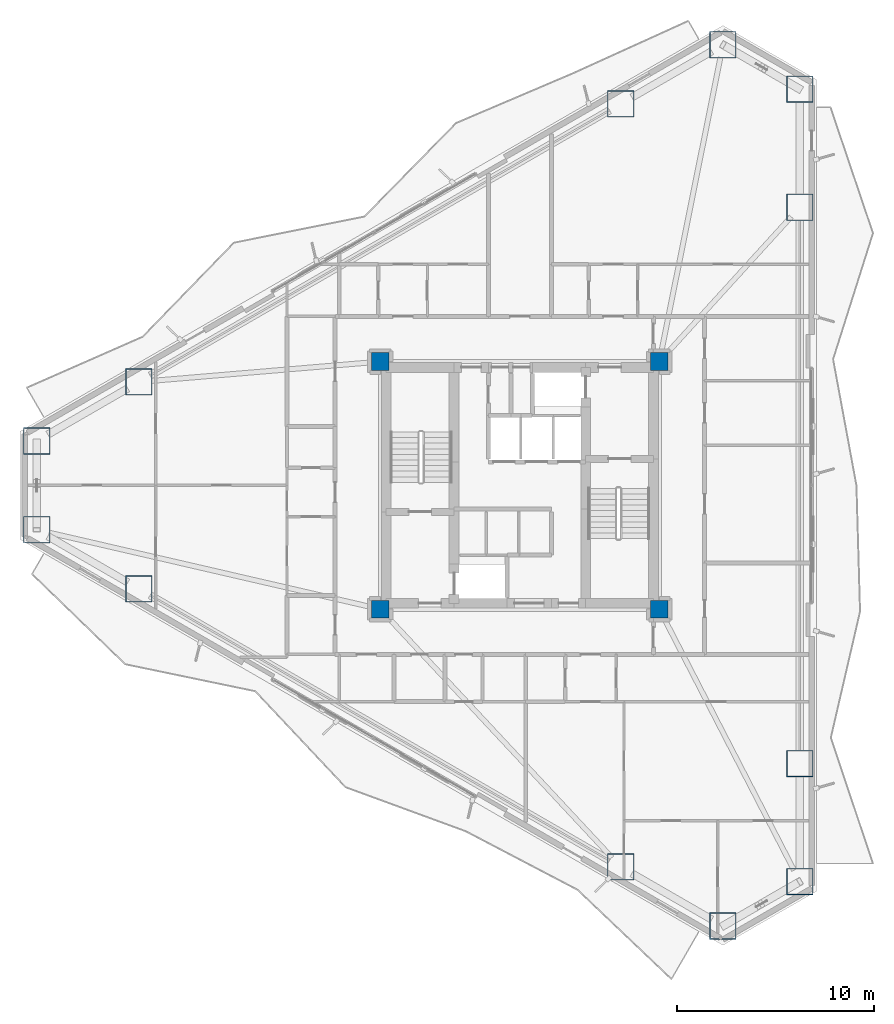
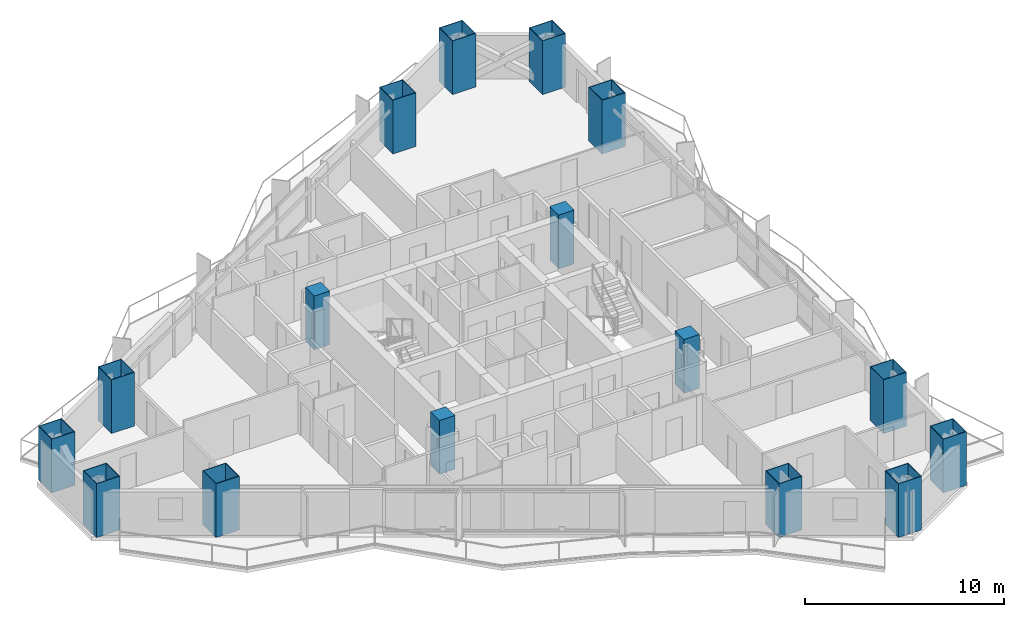
# One storey, part 1 of 19: 16 columns.
"""IFC4 building model written with IfcOpenShell, lengths in metres."""

from ifc_helpers import new_model, si_unit, direction, frame, origin, origin_2d, place, context, subcontext, project, spatial, rectangle, hollow_rectangle, extrude, material, material_profile, profile_set, type_object, element, save


model = new_model("IFC4")

# Units and contexts
model_context = context("Model", 3, precision=1e-05, world=origin(), true_north=direction((0.0, 1.0)))
body_context = subcontext(model_context, "Body", "Model", "MODEL_VIEW")
ifc_project = project(units=[si_unit("LENGTHUNIT", "METRE"), si_unit("AREAUNIT", "SQUARE_METRE"), si_unit("VOLUMEUNIT", "CUBIC_METRE"), si_unit("PLANEANGLEUNIT", "RADIAN"), si_unit("MASSUNIT", "GRAM", prefix="KILO")], contexts=[model_context])

# Site, building, storey
site_placement = place(None, origin())
site = spatial("IfcSite", under=ifc_project, at=site_placement, CompositionType="ELEMENT")
building_placement = place(site_placement, origin())
building = spatial("IfcBuilding", under=site, at=building_placement, Name="Mersakhor Tower and Convention Hall", CompositionType="ELEMENT")
storey_placement = place(building_placement, frame((0.0, 0.0, 45.60009765625)))
storey = spatial("IfcBuildingStorey", under=building, at=storey_placement, Name="L12", CompositionType="ELEMENT", Elevation=45.60009765625)

# Columns
ifc_material_1 = material(Name="Concrete C70/85 in S460M steel box", Category="concrete")
ifc_material_profile_1 = material_profile(ifc_material_1, hollow_rectangle(XDim=1.35009765625, YDim=1.35009765625, WallThickness=0.035888671875, at=origin_2d()), Name="SHS 1350x1350x36")
ifc_profile_set_1 = profile_set([ifc_material_profile_1], Name="Concrete C70/85 in S460M steel box")
column_type_1 = type_object("IfcColumnType", Name="COL-CFT-1350", PredefinedType="COLUMN", material=ifc_profile_set_1)
for number, where, z_axis, x_axis, name in (
    (1, (4.4130859375, 29.00927734375, 0.0), (0.0, 0.0, 1.0), (1.0, 0.0, 0.0), "L12 Perimeter Mega-Column MC-01"),
    (2, (9.61669921875, 32.013671875, 0.0), (0.0, 0.0, 1.0), (1.0, 0.0, 0.0), "L12 Perimeter Mega-Column MC-02"),
    (3, (34.13330078125, 46.168212890625, 0.0), (0.0, 0.0, 1.0), (1.0, 0.0, 0.0), "L12 Perimeter Mega-Column MC-03"),
    (4, (39.3369140625, 49.172607421875, 0.0), (0.0, 0.0, 1.0), (1.0, 0.0, 0.0), "L12 Perimeter Mega-Column MC-04"),
    (5, (43.25, 46.913330078125, 0.0), (0.0, 0.0, 1.0), (1.0, 0.0, 0.0), "L12 Perimeter Mega-Column MC-05"),
    (6, (43.25, 40.904541015625, 0.0), (0.0, 0.0, 1.0), (1.0, 0.0, 0.0), "L12 Perimeter Mega-Column MC-06"),
    (7, (43.25, 12.595458984375, 0.0), (0.0, 0.0, 1.0), (1.0, 0.0, 0.0), "L12 Perimeter Mega-Column MC-07"),
    (8, (43.25, 6.586669921875, 0.0), (0.0, 0.0, 1.0), (1.0, 0.0, 0.0), "L12 Perimeter Mega-Column MC-08"),
    (9, (39.3369140625, 4.327392578125, 0.0), (0.0, 0.0, 1.0), (1.0, 0.0, 0.0), "L12 Perimeter Mega-Column MC-09"),
    (10, (34.13330078125, 7.331787109375, 0.0), (0.0, 0.0, 1.0), (1.0, 0.0, 0.0), "L12 Perimeter Mega-Column MC-10"),
    (11, (9.61669921875, 21.486328125, 0.0), (0.0, 0.0, 1.0), (1.0, 0.0, 0.0), "L12 Perimeter Mega-Column MC-11"),
    (12, (4.4130859375, 24.49072265625, 0.0), (0.0, 0.0, 1.0), (1.0, 0.0, 0.0), "L12 Perimeter Mega-Column MC-12"),
):
    element("IfcColumn", number, at=place(storey_placement, frame(where, z_axis=z_axis, x_axis=x_axis)), inside=storey, type_object=column_type_1, Name=name, PredefinedType="COLUMN", context=body_context, shape_type="SweptSolid", body=[
        extrude(hollow_rectangle(XDim=1.35009765625, YDim=1.35009765625, WallThickness=0.035888671875, at=origin_2d()), origin(), (0.0, 0.0, 1.0), 3.2998046875),
    ])
ifc_material_2 = material(Name="Concrete C60/75", Category="concrete")
ifc_material_profile_2 = material_profile(ifc_material_2, rectangle(XDim=0.89990234375, YDim=0.89990234375, at=origin_2d()), Name="RC 900x900")
ifc_profile_set_2 = profile_set([ifc_material_profile_2], Name="Concrete C60/75")
column_type_2 = type_object("IfcColumnType", Name="COL-RC-900", PredefinedType="COLUMN", material=ifc_profile_set_2)
for number, where, z_axis, x_axis, name in (
    (13, (21.89990234375, 20.449951171875, 0.0), (0.0, 0.0, 1.0), (1.0, 0.0, 0.0), "L12 Core Corner Column CC-1"),
    (14, (21.89990234375, 33.050048828125, 0.0), (0.0, 0.0, 1.0), (1.0, 0.0, 0.0), "L12 Core Corner Column CC-2"),
    (15, (36.10009765625, 33.050048828125, 0.0), (0.0, 0.0, 1.0), (1.0, 0.0, 0.0), "L12 Core Corner Column CC-3"),
    (16, (36.10009765625, 20.449951171875, 0.0), (0.0, 0.0, 1.0), (1.0, 0.0, 0.0), "L12 Core Corner Column CC-4"),
):
    element("IfcColumn", number, at=place(storey_placement, frame(where, z_axis=z_axis, x_axis=x_axis)), inside=storey, type_object=column_type_2, Name=name, PredefinedType="COLUMN", context=body_context, shape_type="SweptSolid", body=[
        extrude(rectangle(XDim=0.89990234375, YDim=0.89990234375, at=origin_2d()), origin(), (0.0, 0.0, 1.0), 3.2998046875),
    ])

save(model, "model.ifc")
